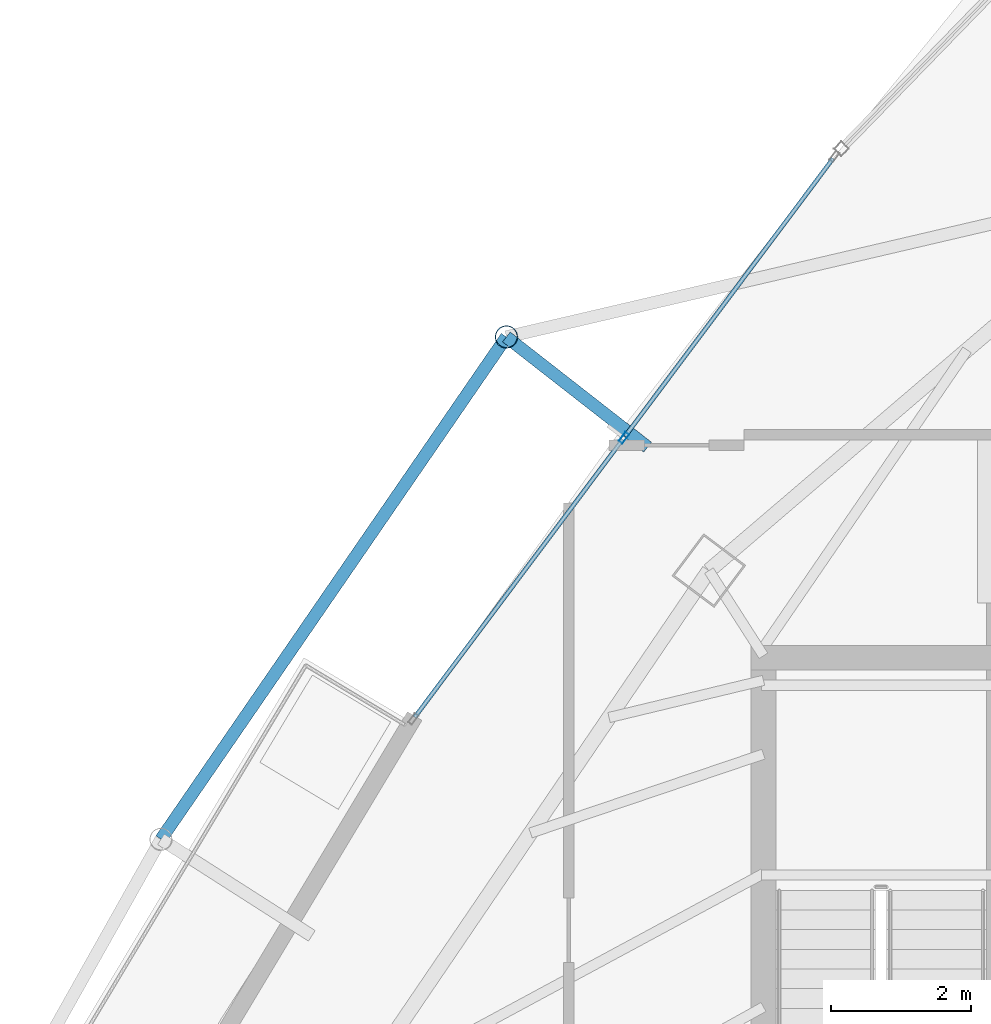
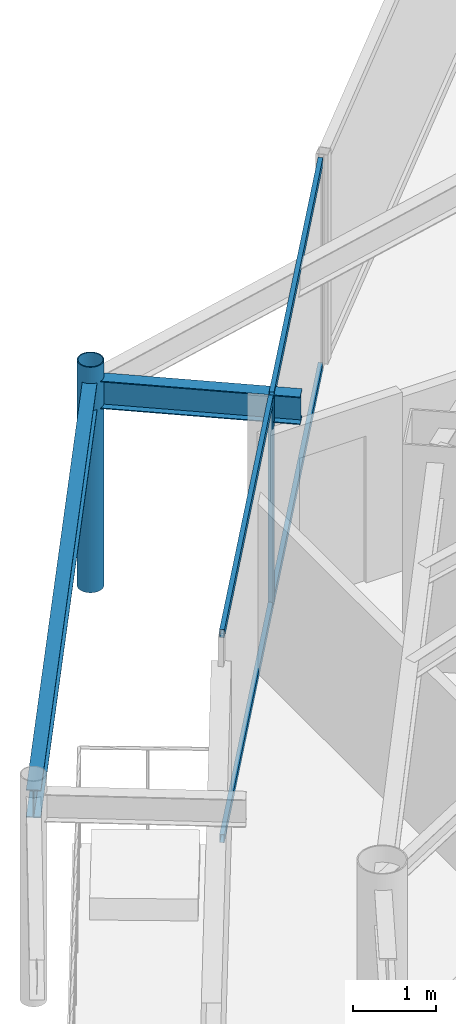
# One storey, part 21 of 32: 6 members, 2 beams, 1 element without a shape of its own.
"""IFC4 building model written with IfcOpenShell, lengths in metres."""

from ifc_helpers import new_model, si_unit, direction, frame, origin, origin_2d, place, context, subcontext, project, spatial, hollow_rectangle, hollow_circle, i_section, extrude, material, layer, layer_set, material_profile, profile_set, type_object, element, aggregate, save


model = new_model("IFC4")

# Units and contexts
model_context = context("Model", 3, precision=1e-05, world=origin(), true_north=direction((0.0, 1.0)))
body_context = subcontext(model_context, "Body", "Model", "MODEL_VIEW")
ifc_project = project(units=[si_unit("LENGTHUNIT", "METRE"), si_unit("AREAUNIT", "SQUARE_METRE"), si_unit("VOLUMEUNIT", "CUBIC_METRE"), si_unit("PLANEANGLEUNIT", "RADIAN"), si_unit("MASSUNIT", "GRAM", prefix="KILO")], contexts=[model_context])

# Site, building, storey
site_placement = place(None, origin())
site = spatial("IfcSite", under=ifc_project, at=site_placement, CompositionType="ELEMENT")
building_placement = place(site_placement, origin())
building = spatial("IfcBuilding", under=site, at=building_placement, Name="Orvanel Arch Residences", CompositionType="ELEMENT")
storey_placement = place(building_placement, frame((0.0, 0.0, 219.5)))
storey = spatial("IfcBuildingStorey", under=building, at=storey_placement, Name="L62", CompositionType="ELEMENT", Elevation=219.5)

# Curtain wall, member
ifc_material_1 = material(Name="Bronze-anodised aluminium AA6063-T6", Category="aluminium")
ifc_layer = layer(ifc_material_1, 0.175048828125)
ifc_layer_set = layer_set([ifc_layer], Name="Bronze-anodised aluminium AA6063-T6")
curtain_wall_type = type_object("IfcCurtainWallType", Name="CW4-HI-SYS", PredefinedType="NOTDEFINED", material=ifc_layer_set)
curtain_wall_placement = place(storey_placement, origin())
curtain_wall = element("IfcCurtainWall", 1, at=curtain_wall_placement, inside=storey, type_object=curtain_wall_type, Name="L62 CW4-HI-SYS Unitised Curtain Wall", PredefinedType="NOTDEFINED")
ifc_material_profile_1 = material_profile(ifc_material_1, hollow_rectangle(XDim=0.06494140625, YDim=0.159912109375, WallThickness=0.00390625, at=origin_2d()), Name="ALU160x65x4")
ifc_profile_set_1 = profile_set([ifc_material_profile_1], Name="Bronze-anodised aluminium AA6063-T6")
member_type_1 = type_object("IfcMemberType", Name="MUL-160x65", PredefinedType="MULLION", material=ifc_profile_set_1)
member_1_placement = place(storey_placement, frame((24.4375, 37.00390625, 0.0), z_axis=(0.0, 0.0, 1.0), x_axis=(0.800476458044, -0.599364196559, 0.0)))
member_1 = element("IfcMember", 2, at=member_1_placement, type_object=member_type_1, Name="CW-S4 mullion 2", PredefinedType="MULLION", context=body_context, shape_type="SweptSolid", body=[
    extrude(hollow_rectangle(XDim=0.06494140625, YDim=0.159912109375, WallThickness=0.00390625, at=origin_2d()), origin(), (0.0, 0.0, 1.0), 3.06005859375),
])

# Beams
ifc_material_2 = material(Name="Structural steel AS/NZS 3679.1 Grade 300 (300 MPa)", Category="steel")
ifc_material_profile_2 = material_profile(ifc_material_2, i_section(OverallWidth=0.177978515625, OverallDepth=0.406005859375, WebThickness=0.0078125, FlangeThickness=0.0126953125, at=origin_2d()), Name="410UB59.7")
ifc_profile_set_2 = profile_set([ifc_material_profile_2], Name="Structural steel AS/NZS 3679.1 Grade 300 (300 MPa)")
beam_type = type_object("IfcBeamType", Name="OB-410UB-EXT", PredefinedType="SPANDREL", material=ifc_profile_set_2)
beam_1_placement = place(storey_placement, frame((24.77490234375, 36.87109375, 2.85693359375), z_axis=(-0.788304456256, 0.61528536814, 0.0), x_axis=(-0.61528536814, -0.788304456256, 0.0)))
element("IfcBeam", 3, at=beam_1_placement, inside=storey, type_object=beam_type, Name="L62 Outer Frame Radial Tie Beam 01", PredefinedType="SPANDREL", context=body_context, shape_type="SweptSolid", body=[
    extrude(i_section(OverallWidth=0.177978515625, OverallDepth=0.406005859375, WebThickness=0.0078125, FlangeThickness=0.0126953125, at=origin_2d()), origin(), (0.0, 0.0, 1.0), 2.5498046875),
])
beam_2_placement = place(storey_placement, frame((22.764892578125, 38.43994140625, 2.85693359375), z_axis=(-0.566636240151, -0.823968064519, 0.0), x_axis=(0.823968064519, -0.566636240151, 0.0)))
element("IfcBeam", 4, at=beam_2_placement, inside=storey, type_object=beam_type, Name="L62 Outer Perimeter Floor Ring Beam 01", PredefinedType="SPANDREL", context=body_context, shape_type="SweptSolid", body=[
    extrude(i_section(OverallWidth=0.177978515625, OverallDepth=0.406005859375, WebThickness=0.0078125, FlangeThickness=0.0126953125, at=origin_2d()), origin(), (0.0, 0.0, 1.0), 8.680908203125),
])

# Member
ifc_material_3 = material(Name="Structural steel AS/NZS 1163 C350L0 (Grade 350)", Category="steel")
ifc_material_profile_3 = material_profile(ifc_material_3, hollow_circle(Radius=0.162109375, WallThickness=0.0126953125, at=origin_2d()), Name="CHS324x12.7")
ifc_profile_set_3 = profile_set([ifc_material_profile_3], Name="Structural steel AS/NZS 1163 C350L0 (Grade 350)")
member_type_2 = type_object("IfcMemberType", Name="ST-324CHS-EXT", PredefinedType="STRUT", material=ifc_profile_set_3)
member_2_placement = place(storey_placement, frame((22.764892578125, 38.43994140625, 0.0), z_axis=(0.0, 0.0, 1.0), x_axis=(1.0, 0.0, 0.0)))
element("IfcMember", 5, at=member_2_placement, inside=storey, type_object=member_type_2, Name="L62 Outer Perimeter Frame Post 01", PredefinedType="STRUT", context=body_context, shape_type="SweptSolid", body=[
    extrude(hollow_circle(Radius=0.162109375, WallThickness=0.0126953125, at=origin_2d()), origin(), (0.0, 0.0, 1.0), 3.300048828125),
])

ifc_material_profile_4 = material_profile(ifc_material_1, hollow_rectangle(XDim=0.06005859375, YDim=0.1201171875, WallThickness=0.00341796875, at=origin_2d()), Name="ALU120x60x3.5")
ifc_profile_set_4 = profile_set([ifc_material_profile_4], Name="Bronze-anodised aluminium AA6063-T6")
member_type_3 = type_object("IfcMemberType", Name="TRN-120x60", PredefinedType="USERDEFINED", material=ifc_profile_set_4)
member_3_placement = place(storey_placement, frame((27.416015625, 40.98193359375, 0.030029296875), z_axis=(-0.599358908825, -0.800480417257, 0.0), x_axis=(0.800480417257, -0.599358908825, 0.0)))
member_3 = element("IfcMember", 6, at=member_3_placement, type_object=member_type_3, Name="CW-S4 transom 1.1", ObjectType="TRANSOM", PredefinedType="USERDEFINED", context=body_context, shape_type="SweptSolid", body=[
    extrude(hollow_rectangle(XDim=0.06005859375, YDim=0.1201171875, WallThickness=0.00341796875, at=origin_2d()), origin(), (0.0, 0.0, 1.0), 4.93701171875),
])

member_4_placement = place(storey_placement, frame((27.416015625, 40.98193359375, 3.030029296875), z_axis=(-0.599358908825, -0.800480417257, 0.0), x_axis=(0.800480417257, -0.599358908825, 0.0)))
member_4 = element("IfcMember", 7, at=member_4_placement, type_object=member_type_3, Name="CW-S4 transom 1.2", ObjectType="TRANSOM", PredefinedType="USERDEFINED", context=body_context, shape_type="SweptSolid", body=[
    extrude(hollow_rectangle(XDim=0.06005859375, YDim=0.1201171875, WallThickness=0.00341796875, at=origin_2d()), origin(), (0.0, 0.0, 1.0), 4.93701171875),
])

member_5_placement = place(storey_placement, frame((24.41796875, 36.97802734375, 0.030029296875), z_axis=(-0.599358908825, -0.800480417257, 0.0), x_axis=(0.800480417257, -0.599358908825, 0.0)))
member_5 = element("IfcMember", 8, at=member_5_placement, type_object=member_type_3, Name="CW-S4 transom 2.1", ObjectType="TRANSOM", PredefinedType="USERDEFINED", context=body_context, shape_type="SweptSolid", body=[
    extrude(hollow_rectangle(XDim=0.06005859375, YDim=0.1201171875, WallThickness=0.00341796875, at=origin_2d()), origin(), (0.0, 0.0, 1.0), 4.93701171875),
])

member_6_placement = place(storey_placement, frame((24.41796875, 36.97802734375, 3.030029296875), z_axis=(-0.599358908825, -0.800480417257, 0.0), x_axis=(0.800480417257, -0.599358908825, 0.0)))
member_6 = element("IfcMember", 9, at=member_6_placement, type_object=member_type_3, Name="CW-S4 transom 2.2", ObjectType="TRANSOM", PredefinedType="USERDEFINED", context=body_context, shape_type="SweptSolid", body=[
    extrude(hollow_rectangle(XDim=0.06005859375, YDim=0.1201171875, WallThickness=0.00341796875, at=origin_2d()), origin(), (0.0, 0.0, 1.0), 4.93701171875),
])

aggregate(curtain_wall, [member_1, member_3, member_4, member_5, member_6])

save(model, "model.ifc")
